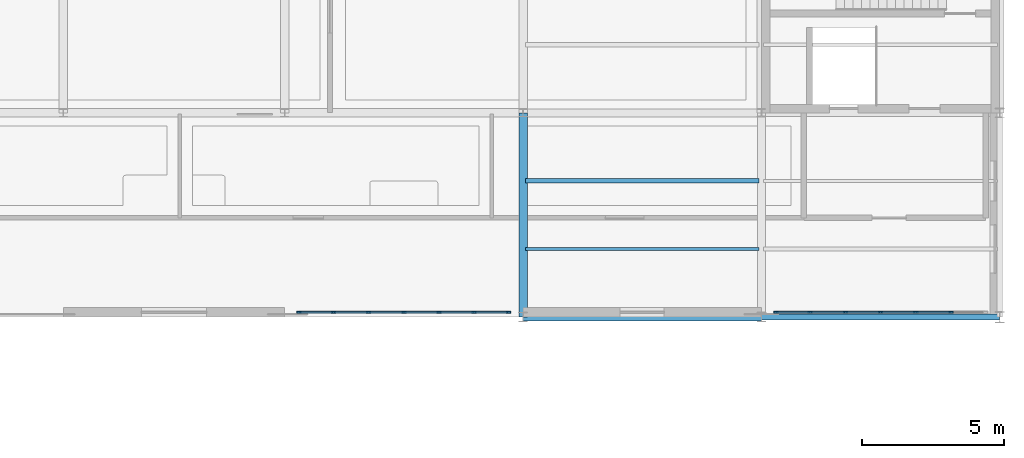
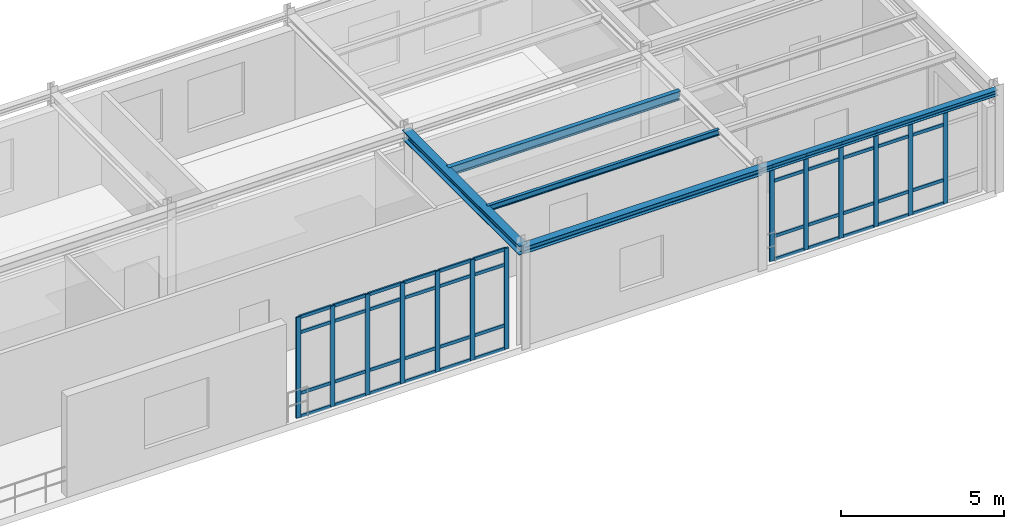
# One storey, part 6 of 20: 56 members, 5 beams, 2 elements without a shape of their own.
"""IFC4 building model written with IfcOpenShell, lengths in metres."""

from ifc_helpers import new_model, si_unit, derived_unit, direction, frame, origin, origin_2d, place, context, subcontext, project, spatial, rectangle, i_section, extrude, material, layer, layer_set, material_profile, profile_set, type_object, element, aggregate, save


model = new_model("IFC4")

# Units and contexts
model_context = context("Model", 3, precision=1e-05, world=origin(), true_north=direction((0.0, 1.0)))
body_context = subcontext(model_context, "Body", "Model", "MODEL_VIEW")
ifc_project = project(units=[si_unit("LENGTHUNIT", "METRE"), si_unit("AREAUNIT", "SQUARE_METRE"), si_unit("VOLUMEUNIT", "CUBIC_METRE"), si_unit("PLANEANGLEUNIT", "RADIAN"), si_unit("MASSUNIT", "GRAM", prefix="KILO"), derived_unit("THERMALTRANSMITTANCEUNIT", [(si_unit("POWERUNIT", "WATT"), 1), (si_unit("AREAUNIT", "SQUARE_METRE"), -1), (si_unit("THERMODYNAMICTEMPERATUREUNIT", "KELVIN"), -1)])], contexts=[model_context])

# Site, building, storey
site_placement = place(None, origin())
site = spatial("IfcSite", under=ifc_project, at=site_placement, CompositionType="ELEMENT")
building_placement = place(site_placement, origin())
building = spatial("IfcBuilding", under=site, at=building_placement, Name="Yasenodar Specialist Clinic", CompositionType="ELEMENT")
storey_placement = place(building_placement, frame((0.0, 0.0, 25.35009765625)))
storey = spatial("IfcBuildingStorey", under=building, at=storey_placement, Name="L06", CompositionType="ELEMENT", Elevation=25.35009765625)

# Beams
ifc_material_1 = material(Name="Steel S355", Category="steel")
ifc_material_profile_1 = material_profile(ifc_material_1, i_section(OverallWidth=0.219970703125, OverallDepth=0.2099609375, WebThickness=0.007080078125, FlangeThickness=0.010986328125, FilletRadius=0.01806640625, at=origin_2d()), Name="HEA 220")
ifc_profile_set_1 = profile_set([ifc_material_profile_1], Name="Steel S355")
beam_type_1 = type_object("IfcBeamType", Name="BM-HEA220", PredefinedType="BEAM", material=ifc_profile_set_1)
beam_1_placement = place(storey_placement, frame((113.39990234375, 97.199951171875, 3.704833984375), z_axis=(1.0, 0.0, 0.0), x_axis=(0.0, 1.0, 0.0)))
element("IfcBeam", 1, at=beam_1_placement, inside=storey, type_object=beam_type_1, Name="L06 Primary E-W Girder", PredefinedType="BEAM", context=body_context, shape_type="SweptSolid", body=[
    extrude(i_section(OverallWidth=0.219970703125, OverallDepth=0.2099609375, WebThickness=0.007080078125, FlangeThickness=0.010986328125, FilletRadius=0.01806640625, at=origin_2d()), origin(), (0.0, 0.0, 1.0), 8.400146484375),
])
ifc_material_profile_2 = material_profile(ifc_material_1, i_section(OverallWidth=0.260009765625, OverallDepth=0.25, WebThickness=0.007568359375, FlangeThickness=0.012451171875, FilletRadius=0.02392578125, at=origin_2d()), Name="HEA 260")
ifc_profile_set_2 = profile_set([ifc_material_profile_2], Name="Steel S355")
beam_type_2 = type_object("IfcBeamType", Name="BM-HEA260", PredefinedType="BEAM", material=ifc_profile_set_2)
beam_2_placement = place(storey_placement, frame((105.0, 97.199951171875, 3.684814453125), z_axis=(1.0, 0.0, 0.0), x_axis=(0.0, 1.0, 0.0)))
element("IfcBeam", 2, at=beam_2_placement, inside=storey, type_object=beam_type_2, Name="L06 Primary E-W Girder", PredefinedType="BEAM", context=body_context, shape_type="SweptSolid", body=[
    extrude(i_section(OverallWidth=0.260009765625, OverallDepth=0.25, WebThickness=0.007568359375, FlangeThickness=0.012451171875, FilletRadius=0.02392578125, at=origin_2d()), origin(), (0.0, 0.0, 1.0), 8.39990234375),
])
ifc_material_profile_3 = material_profile(ifc_material_1, i_section(OverallWidth=0.300048828125, OverallDepth=0.340087890625, WebThickness=0.011962890625, FlangeThickness=0.021484375, FilletRadius=0.027099609375, at=origin_2d()), Name="HEB 340")
ifc_profile_set_3 = profile_set([ifc_material_profile_3], Name="Steel S355")
beam_type_3 = type_object("IfcBeamType", Name="BM-HEB340", PredefinedType="BEAM", material=ifc_profile_set_3)
beam_3_placement = place(storey_placement, frame((105.0, 97.199951171875, 3.639892578125), z_axis=(0.0, 1.0, 0.0), x_axis=(-1.0, 0.0, 0.0)))
element("IfcBeam", 3, at=beam_3_placement, inside=storey, type_object=beam_type_3, Name="L06 Primary N-S Girder", PredefinedType="BEAM", context=body_context, shape_type="SweptSolid", body=[
    extrude(i_section(OverallWidth=0.300048828125, OverallDepth=0.340087890625, WebThickness=0.011962890625, FlangeThickness=0.021484375, FilletRadius=0.027099609375, at=origin_2d()), origin(), (0.0, 0.0, 1.0), 7.199951171875),
])

# Curtain wall, members
ifc_material_2 = material(Name="Bronze Anodized Aluminium and Triple Low-E Glass", Category="aluminium")
ifc_layer = layer(ifc_material_2, 0.215087890625)
ifc_layer_set = layer_set([ifc_layer], Name="Bronze Anodized Aluminium and Triple Low-E Glass")
curtain_wall_type = type_object("IfcCurtainWallType", Name="CW-SYS-05", PredefinedType="USERDEFINED", material=ifc_layer_set)
curtain_wall_1_placement = place(storey_placement, origin())
curtain_wall_1 = element("IfcCurtainWall", 4, at=curtain_wall_1_placement, inside=storey, type_object=curtain_wall_type, Name="L06 Unitised Curtain Wall 168", ObjectType="UNITISED CURTAIN WALL", PredefinedType="USERDEFINED")
ifc_material_3 = material(Name="Bronze Anodized Aluminium", Category="aluminium")
ifc_material_profile_4 = material_profile(ifc_material_3, rectangle(XDim=0.06005859375, YDim=0.159912109375, at=origin_2d()), Name="CW-MULL 60x160")
ifc_profile_set_4 = profile_set([ifc_material_profile_4], Name="Bronze Anodized Aluminium")
member_type_1 = type_object("IfcMemberType", Name="CW-MULL-160", PredefinedType="MULLION", material=ifc_profile_set_4)
member_1_placement = place(storey_placement, frame((120.080078125, 97.3701171875, 0.0), z_axis=(0.0, 0.0, 1.0), x_axis=(0.0, -1.0, 0.0)))
member_1 = element("IfcMember", 5, at=member_1_placement, type_object=member_type_1, Name="CW-05 mullion 2", PredefinedType="MULLION", context=body_context, shape_type="SweptSolid", body=[
    extrude(rectangle(XDim=0.06005859375, YDim=0.159912109375, at=origin_2d()), origin(), (0.0, 0.0, 1.0), 3.577880859375),
])
member_2_placement = place(storey_placement, frame((118.840087890625, 97.3701171875, 0.0), z_axis=(0.0, 0.0, 1.0), x_axis=(0.0, -1.0, 0.0)))
member_2 = element("IfcMember", 6, at=member_2_placement, type_object=member_type_1, Name="CW-05 mullion 3", PredefinedType="MULLION", context=body_context, shape_type="SweptSolid", body=[
    extrude(rectangle(XDim=0.06005859375, YDim=0.159912109375, at=origin_2d()), origin(), (0.0, 0.0, 1.0), 3.577880859375),
])
member_3_placement = place(storey_placement, frame((117.60009765625, 97.3701171875, 0.0), z_axis=(0.0, 0.0, 1.0), x_axis=(0.0, -1.0, 0.0)))
member_3 = element("IfcMember", 7, at=member_3_placement, type_object=member_type_1, Name="CW-05 mullion 4", PredefinedType="MULLION", context=body_context, shape_type="SweptSolid", body=[
    extrude(rectangle(XDim=0.06005859375, YDim=0.159912109375, at=origin_2d()), origin(), (0.0, 0.0, 1.0), 3.577880859375),
])
member_4_placement = place(storey_placement, frame((116.360107421875, 97.3701171875, 0.0), z_axis=(0.0, 0.0, 1.0), x_axis=(0.0, -1.0, 0.0)))
member_4 = element("IfcMember", 8, at=member_4_placement, type_object=member_type_1, Name="CW-05 mullion 5", PredefinedType="MULLION", context=body_context, shape_type="SweptSolid", body=[
    extrude(rectangle(XDim=0.06005859375, YDim=0.159912109375, at=origin_2d()), origin(), (0.0, 0.0, 1.0), 3.577880859375),
])
member_5_placement = place(storey_placement, frame((115.1201171875, 97.3701171875, 0.0), z_axis=(0.0, 0.0, 1.0), x_axis=(0.0, -1.0, 0.0)))
member_5 = element("IfcMember", 9, at=member_5_placement, type_object=member_type_1, Name="CW-05 mullion 6", PredefinedType="MULLION", context=body_context, shape_type="SweptSolid", body=[
    extrude(rectangle(XDim=0.06005859375, YDim=0.159912109375, at=origin_2d()), origin(), (0.0, 0.0, 1.0), 3.577880859375),
])
member_6_placement = place(storey_placement, frame((113.909912109375, 97.3701171875, 0.0), z_axis=(0.0, 0.0, 1.0), x_axis=(0.0, -1.0, 0.0)))
member_6 = element("IfcMember", 10, at=member_6_placement, type_object=member_type_1, Name="CW-05 mullion 7", PredefinedType="MULLION", context=body_context, shape_type="SweptSolid", body=[
    extrude(rectangle(XDim=0.06005859375, YDim=0.159912109375, at=origin_2d()), origin(), (0.0, 0.0, 1.0), 3.577880859375),
])

curtain_wall_2_placement = place(storey_placement, origin())
curtain_wall_2 = element("IfcCurtainWall", 11, at=curtain_wall_2_placement, inside=storey, type_object=curtain_wall_type, Name="L06 Unitised Curtain Wall 169", ObjectType="UNITISED CURTAIN WALL", PredefinedType="USERDEFINED")
member_7_placement = place(storey_placement, frame((104.489990234375, 97.3701171875, 0.0), z_axis=(0.0, 0.0, 1.0), x_axis=(0.0, -1.0, 0.0)))
member_7 = element("IfcMember", 12, at=member_7_placement, type_object=member_type_1, Name="CW-05 mullion 1", PredefinedType="MULLION", context=body_context, shape_type="SweptSolid", body=[
    extrude(rectangle(XDim=0.06005859375, YDim=0.159912109375, at=origin_2d()), origin(), (0.0, 0.0, 1.0), 3.77978515625),
])
member_8_placement = place(storey_placement, frame((103.280029296875, 97.3701171875, 0.0), z_axis=(0.0, 0.0, 1.0), x_axis=(0.0, -1.0, 0.0)))
member_8 = element("IfcMember", 13, at=member_8_placement, type_object=member_type_1, Name="CW-05 mullion 2", PredefinedType="MULLION", context=body_context, shape_type="SweptSolid", body=[
    extrude(rectangle(XDim=0.06005859375, YDim=0.159912109375, at=origin_2d()), origin(), (0.0, 0.0, 1.0), 3.77978515625),
])
member_9_placement = place(storey_placement, frame((102.0400390625, 97.3701171875, 0.0), z_axis=(0.0, 0.0, 1.0), x_axis=(0.0, -1.0, 0.0)))
member_9 = element("IfcMember", 14, at=member_9_placement, type_object=member_type_1, Name="CW-05 mullion 3", PredefinedType="MULLION", context=body_context, shape_type="SweptSolid", body=[
    extrude(rectangle(XDim=0.06005859375, YDim=0.159912109375, at=origin_2d()), origin(), (0.0, 0.0, 1.0), 3.77978515625),
])
member_10_placement = place(storey_placement, frame((100.800048828125, 97.3701171875, 0.0), z_axis=(0.0, 0.0, 1.0), x_axis=(0.0, -1.0, 0.0)))
member_10 = element("IfcMember", 15, at=member_10_placement, type_object=member_type_1, Name="CW-05 mullion 4", PredefinedType="MULLION", context=body_context, shape_type="SweptSolid", body=[
    extrude(rectangle(XDim=0.06005859375, YDim=0.159912109375, at=origin_2d()), origin(), (0.0, 0.0, 1.0), 3.77978515625),
])
member_11_placement = place(storey_placement, frame((99.56005859375, 97.3701171875, 0.0), z_axis=(0.0, 0.0, 1.0), x_axis=(0.0, -1.0, 0.0)))
member_11 = element("IfcMember", 16, at=member_11_placement, type_object=member_type_1, Name="CW-05 mullion 5", PredefinedType="MULLION", context=body_context, shape_type="SweptSolid", body=[
    extrude(rectangle(XDim=0.06005859375, YDim=0.159912109375, at=origin_2d()), origin(), (0.0, 0.0, 1.0), 3.77978515625),
])
member_12_placement = place(storey_placement, frame((98.320068359375, 97.3701171875, 0.0), z_axis=(0.0, 0.0, 1.0), x_axis=(0.0, -1.0, 0.0)))
member_12 = element("IfcMember", 17, at=member_12_placement, type_object=member_type_1, Name="CW-05 mullion 6", PredefinedType="MULLION", context=body_context, shape_type="SweptSolid", body=[
    extrude(rectangle(XDim=0.06005859375, YDim=0.159912109375, at=origin_2d()), origin(), (0.0, 0.0, 1.0), 3.77978515625),
])
member_13_placement = place(storey_placement, frame((97.110107421875, 97.3701171875, 0.0), z_axis=(0.0, 0.0, 1.0), x_axis=(0.0, -1.0, 0.0)))
member_13 = element("IfcMember", 18, at=member_13_placement, type_object=member_type_1, Name="CW-05 mullion 7", PredefinedType="MULLION", context=body_context, shape_type="SweptSolid", body=[
    extrude(rectangle(XDim=0.06005859375, YDim=0.159912109375, at=origin_2d()), origin(), (0.0, 0.0, 1.0), 3.77978515625),
])

# Member
ifc_material_profile_5 = material_profile(ifc_material_3, rectangle(XDim=0.06005859375, YDim=0.1201171875, at=origin_2d()), Name="CW-TRAN 60x120")
ifc_profile_set_5 = profile_set([ifc_material_profile_5], Name="Bronze Anodized Aluminium")
member_type_2 = type_object("IfcMemberType", Name="CW-TRAN-120", PredefinedType="USERDEFINED", material=ifc_profile_set_5)
member_14_placement = place(storey_placement, frame((120.050048828125, 97.3701171875, 0.02978515625), z_axis=(-1.0, 0.0, 0.0), x_axis=(0.0, -1.0, 0.0)))
member_14 = element("IfcMember", 19, at=member_14_placement, type_object=member_type_2, Name="CW-05 transom 2.1", ObjectType="TRANSOM", PredefinedType="USERDEFINED", context=body_context, shape_type="SweptSolid", body=[
    extrude(rectangle(XDim=0.06005859375, YDim=0.1201171875, at=origin_2d()), origin(), (0.0, 0.0, 1.0), 1.179931640625),
])

member_15_placement = place(storey_placement, frame((120.050048828125, 97.3701171875, 0.89990234375), z_axis=(-1.0, 0.0, 0.0), x_axis=(0.0, -1.0, 0.0)))
member_15 = element("IfcMember", 20, at=member_15_placement, type_object=member_type_2, Name="CW-05 transom 2.2", ObjectType="TRANSOM", PredefinedType="USERDEFINED", context=body_context, shape_type="SweptSolid", body=[
    extrude(rectangle(XDim=0.06005859375, YDim=0.1201171875, at=origin_2d()), origin(), (0.0, 0.0, 1.0), 1.179931640625),
])

member_16_placement = place(storey_placement, frame((120.050048828125, 97.3701171875, 2.977783203125), z_axis=(-1.0, 0.0, 0.0), x_axis=(0.0, -1.0, 0.0)))
member_16 = element("IfcMember", 21, at=member_16_placement, type_object=member_type_2, Name="CW-05 transom 2.3", ObjectType="TRANSOM", PredefinedType="USERDEFINED", context=body_context, shape_type="SweptSolid", body=[
    extrude(rectangle(XDim=0.06005859375, YDim=0.1201171875, at=origin_2d()), origin(), (0.0, 0.0, 1.0), 1.179931640625),
])

member_17_placement = place(storey_placement, frame((118.81005859375, 97.3701171875, 0.02978515625), z_axis=(-1.0, 0.0, 0.0), x_axis=(0.0, -1.0, 0.0)))
member_17 = element("IfcMember", 22, at=member_17_placement, type_object=member_type_2, Name="CW-05 transom 3.1", ObjectType="TRANSOM", PredefinedType="USERDEFINED", context=body_context, shape_type="SweptSolid", body=[
    extrude(rectangle(XDim=0.06005859375, YDim=0.1201171875, at=origin_2d()), origin(), (0.0, 0.0, 1.0), 1.18017578125),
])

member_18_placement = place(storey_placement, frame((118.81005859375, 97.3701171875, 0.89990234375), z_axis=(-1.0, 0.0, 0.0), x_axis=(0.0, -1.0, 0.0)))
member_18 = element("IfcMember", 23, at=member_18_placement, type_object=member_type_2, Name="CW-05 transom 3.2", ObjectType="TRANSOM", PredefinedType="USERDEFINED", context=body_context, shape_type="SweptSolid", body=[
    extrude(rectangle(XDim=0.06005859375, YDim=0.1201171875, at=origin_2d()), origin(), (0.0, 0.0, 1.0), 1.18017578125),
])

member_19_placement = place(storey_placement, frame((118.81005859375, 97.3701171875, 2.977783203125), z_axis=(-1.0, 0.0, 0.0), x_axis=(0.0, -1.0, 0.0)))
member_19 = element("IfcMember", 24, at=member_19_placement, type_object=member_type_2, Name="CW-05 transom 3.3", ObjectType="TRANSOM", PredefinedType="USERDEFINED", context=body_context, shape_type="SweptSolid", body=[
    extrude(rectangle(XDim=0.06005859375, YDim=0.1201171875, at=origin_2d()), origin(), (0.0, 0.0, 1.0), 1.18017578125),
])

member_20_placement = place(storey_placement, frame((118.81005859375, 97.3701171875, 3.5478515625), z_axis=(-1.0, 0.0, 0.0), x_axis=(0.0, -1.0, 0.0)))
member_20 = element("IfcMember", 25, at=member_20_placement, type_object=member_type_2, Name="CW-05 transom 3.4", ObjectType="TRANSOM", PredefinedType="USERDEFINED", context=body_context, shape_type="SweptSolid", body=[
    extrude(rectangle(XDim=0.06005859375, YDim=0.1201171875, at=origin_2d()), origin(), (0.0, 0.0, 1.0), 1.18017578125),
])

member_21_placement = place(storey_placement, frame((117.570068359375, 97.3701171875, 0.02978515625), z_axis=(-1.0, 0.0, 0.0), x_axis=(0.0, -1.0, 0.0)))
member_21 = element("IfcMember", 26, at=member_21_placement, type_object=member_type_2, Name="CW-05 transom 4.1", ObjectType="TRANSOM", PredefinedType="USERDEFINED", context=body_context, shape_type="SweptSolid", body=[
    extrude(rectangle(XDim=0.06005859375, YDim=0.1201171875, at=origin_2d()), origin(), (0.0, 0.0, 1.0), 1.18017578125),
])

member_22_placement = place(storey_placement, frame((117.570068359375, 97.3701171875, 0.89990234375), z_axis=(-1.0, 0.0, 0.0), x_axis=(0.0, -1.0, 0.0)))
member_22 = element("IfcMember", 27, at=member_22_placement, type_object=member_type_2, Name="CW-05 transom 4.2", ObjectType="TRANSOM", PredefinedType="USERDEFINED", context=body_context, shape_type="SweptSolid", body=[
    extrude(rectangle(XDim=0.06005859375, YDim=0.1201171875, at=origin_2d()), origin(), (0.0, 0.0, 1.0), 1.18017578125),
])

member_23_placement = place(storey_placement, frame((117.570068359375, 97.3701171875, 2.977783203125), z_axis=(-1.0, 0.0, 0.0), x_axis=(0.0, -1.0, 0.0)))
member_23 = element("IfcMember", 28, at=member_23_placement, type_object=member_type_2, Name="CW-05 transom 4.3", ObjectType="TRANSOM", PredefinedType="USERDEFINED", context=body_context, shape_type="SweptSolid", body=[
    extrude(rectangle(XDim=0.06005859375, YDim=0.1201171875, at=origin_2d()), origin(), (0.0, 0.0, 1.0), 1.18017578125),
])

member_24_placement = place(storey_placement, frame((117.570068359375, 97.3701171875, 3.5478515625), z_axis=(-1.0, 0.0, 0.0), x_axis=(0.0, -1.0, 0.0)))
member_24 = element("IfcMember", 29, at=member_24_placement, type_object=member_type_2, Name="CW-05 transom 4.4", ObjectType="TRANSOM", PredefinedType="USERDEFINED", context=body_context, shape_type="SweptSolid", body=[
    extrude(rectangle(XDim=0.06005859375, YDim=0.1201171875, at=origin_2d()), origin(), (0.0, 0.0, 1.0), 1.18017578125),
])

member_25_placement = place(storey_placement, frame((116.330078125, 97.3701171875, 0.02978515625), z_axis=(-1.0, 0.0, 0.0), x_axis=(0.0, -1.0, 0.0)))
member_25 = element("IfcMember", 30, at=member_25_placement, type_object=member_type_2, Name="CW-05 transom 5.1", ObjectType="TRANSOM", PredefinedType="USERDEFINED", context=body_context, shape_type="SweptSolid", body=[
    extrude(rectangle(XDim=0.06005859375, YDim=0.1201171875, at=origin_2d()), origin(), (0.0, 0.0, 1.0), 1.18017578125),
])

member_26_placement = place(storey_placement, frame((116.330078125, 97.3701171875, 0.89990234375), z_axis=(-1.0, 0.0, 0.0), x_axis=(0.0, -1.0, 0.0)))
member_26 = element("IfcMember", 31, at=member_26_placement, type_object=member_type_2, Name="CW-05 transom 5.2", ObjectType="TRANSOM", PredefinedType="USERDEFINED", context=body_context, shape_type="SweptSolid", body=[
    extrude(rectangle(XDim=0.06005859375, YDim=0.1201171875, at=origin_2d()), origin(), (0.0, 0.0, 1.0), 1.18017578125),
])

member_27_placement = place(storey_placement, frame((116.330078125, 97.3701171875, 2.977783203125), z_axis=(-1.0, 0.0, 0.0), x_axis=(0.0, -1.0, 0.0)))
member_27 = element("IfcMember", 32, at=member_27_placement, type_object=member_type_2, Name="CW-05 transom 5.3", ObjectType="TRANSOM", PredefinedType="USERDEFINED", context=body_context, shape_type="SweptSolid", body=[
    extrude(rectangle(XDim=0.06005859375, YDim=0.1201171875, at=origin_2d()), origin(), (0.0, 0.0, 1.0), 1.18017578125),
])

member_28_placement = place(storey_placement, frame((116.330078125, 97.3701171875, 3.5478515625), z_axis=(-1.0, 0.0, 0.0), x_axis=(0.0, -1.0, 0.0)))
member_28 = element("IfcMember", 33, at=member_28_placement, type_object=member_type_2, Name="CW-05 transom 5.4", ObjectType="TRANSOM", PredefinedType="USERDEFINED", context=body_context, shape_type="SweptSolid", body=[
    extrude(rectangle(XDim=0.06005859375, YDim=0.1201171875, at=origin_2d()), origin(), (0.0, 0.0, 1.0), 1.18017578125),
])

member_29_placement = place(storey_placement, frame((115.090087890625, 97.3701171875, 0.02978515625), z_axis=(-1.0, 0.0, 0.0), x_axis=(0.0, -1.0, 0.0)))
member_29 = element("IfcMember", 34, at=member_29_placement, type_object=member_type_2, Name="CW-05 transom 6.1", ObjectType="TRANSOM", PredefinedType="USERDEFINED", context=body_context, shape_type="SweptSolid", body=[
    extrude(rectangle(XDim=0.06005859375, YDim=0.1201171875, at=origin_2d()), origin(), (0.0, 0.0, 1.0), 1.150146484375),
])

member_30_placement = place(storey_placement, frame((115.090087890625, 97.3701171875, 0.89990234375), z_axis=(-1.0, 0.0, 0.0), x_axis=(0.0, -1.0, 0.0)))
member_30 = element("IfcMember", 35, at=member_30_placement, type_object=member_type_2, Name="CW-05 transom 6.2", ObjectType="TRANSOM", PredefinedType="USERDEFINED", context=body_context, shape_type="SweptSolid", body=[
    extrude(rectangle(XDim=0.06005859375, YDim=0.1201171875, at=origin_2d()), origin(), (0.0, 0.0, 1.0), 1.150146484375),
])

member_31_placement = place(storey_placement, frame((115.090087890625, 97.3701171875, 2.977783203125), z_axis=(-1.0, 0.0, 0.0), x_axis=(0.0, -1.0, 0.0)))
member_31 = element("IfcMember", 36, at=member_31_placement, type_object=member_type_2, Name="CW-05 transom 6.3", ObjectType="TRANSOM", PredefinedType="USERDEFINED", context=body_context, shape_type="SweptSolid", body=[
    extrude(rectangle(XDim=0.06005859375, YDim=0.1201171875, at=origin_2d()), origin(), (0.0, 0.0, 1.0), 1.150146484375),
])

member_32_placement = place(storey_placement, frame((115.090087890625, 97.3701171875, 3.5478515625), z_axis=(-1.0, 0.0, 0.0), x_axis=(0.0, -1.0, 0.0)))
member_32 = element("IfcMember", 37, at=member_32_placement, type_object=member_type_2, Name="CW-05 transom 6.4", ObjectType="TRANSOM", PredefinedType="USERDEFINED", context=body_context, shape_type="SweptSolid", body=[
    extrude(rectangle(XDim=0.06005859375, YDim=0.1201171875, at=origin_2d()), origin(), (0.0, 0.0, 1.0), 1.150146484375),
])

aggregate(curtain_wall_1, [member_1, member_2, member_3, member_4, member_5, member_6, member_14, member_15, member_16, member_17, member_18, member_19, member_20, member_21, member_22, member_23, member_24, member_25, member_26, member_27, member_28, member_29, member_30, member_31, member_32])

member_33_placement = place(storey_placement, frame((104.4599609375, 97.3701171875, 0.02978515625), z_axis=(-1.0, 0.0, 0.0), x_axis=(0.0, -1.0, 0.0)))
member_33 = element("IfcMember", 38, at=member_33_placement, type_object=member_type_2, Name="CW-05 transom 1.1", ObjectType="TRANSOM", PredefinedType="USERDEFINED", context=body_context, shape_type="SweptSolid", body=[
    extrude(rectangle(XDim=0.06005859375, YDim=0.1201171875, at=origin_2d()), origin(), (0.0, 0.0, 1.0), 1.14990234375),
])

member_34_placement = place(storey_placement, frame((104.4599609375, 97.3701171875, 0.89990234375), z_axis=(-1.0, 0.0, 0.0), x_axis=(0.0, -1.0, 0.0)))
member_34 = element("IfcMember", 39, at=member_34_placement, type_object=member_type_2, Name="CW-05 transom 1.2", ObjectType="TRANSOM", PredefinedType="USERDEFINED", context=body_context, shape_type="SweptSolid", body=[
    extrude(rectangle(XDim=0.06005859375, YDim=0.1201171875, at=origin_2d()), origin(), (0.0, 0.0, 1.0), 1.14990234375),
])

member_35_placement = place(storey_placement, frame((104.4599609375, 97.3701171875, 3.179931640625), z_axis=(-1.0, 0.0, 0.0), x_axis=(0.0, -1.0, 0.0)))
member_35 = element("IfcMember", 40, at=member_35_placement, type_object=member_type_2, Name="CW-05 transom 1.3", ObjectType="TRANSOM", PredefinedType="USERDEFINED", context=body_context, shape_type="SweptSolid", body=[
    extrude(rectangle(XDim=0.06005859375, YDim=0.1201171875, at=origin_2d()), origin(), (0.0, 0.0, 1.0), 1.14990234375),
])

member_36_placement = place(storey_placement, frame((104.4599609375, 97.3701171875, 3.75), z_axis=(-1.0, 0.0, 0.0), x_axis=(0.0, -1.0, 0.0)))
member_36 = element("IfcMember", 41, at=member_36_placement, type_object=member_type_2, Name="CW-05 transom 1.4", ObjectType="TRANSOM", PredefinedType="USERDEFINED", context=body_context, shape_type="SweptSolid", body=[
    extrude(rectangle(XDim=0.06005859375, YDim=0.1201171875, at=origin_2d()), origin(), (0.0, 0.0, 1.0), 1.14990234375),
])

member_37_placement = place(storey_placement, frame((103.25, 97.3701171875, 0.02978515625), z_axis=(-1.0, 0.0, 0.0), x_axis=(0.0, -1.0, 0.0)))
member_37 = element("IfcMember", 42, at=member_37_placement, type_object=member_type_2, Name="CW-05 transom 2.1", ObjectType="TRANSOM", PredefinedType="USERDEFINED", context=body_context, shape_type="SweptSolid", body=[
    extrude(rectangle(XDim=0.06005859375, YDim=0.1201171875, at=origin_2d()), origin(), (0.0, 0.0, 1.0), 1.179931640625),
])

member_38_placement = place(storey_placement, frame((103.25, 97.3701171875, 0.89990234375), z_axis=(-1.0, 0.0, 0.0), x_axis=(0.0, -1.0, 0.0)))
member_38 = element("IfcMember", 43, at=member_38_placement, type_object=member_type_2, Name="CW-05 transom 2.2", ObjectType="TRANSOM", PredefinedType="USERDEFINED", context=body_context, shape_type="SweptSolid", body=[
    extrude(rectangle(XDim=0.06005859375, YDim=0.1201171875, at=origin_2d()), origin(), (0.0, 0.0, 1.0), 1.179931640625),
])

member_39_placement = place(storey_placement, frame((103.25, 97.3701171875, 3.179931640625), z_axis=(-1.0, 0.0, 0.0), x_axis=(0.0, -1.0, 0.0)))
member_39 = element("IfcMember", 44, at=member_39_placement, type_object=member_type_2, Name="CW-05 transom 2.3", ObjectType="TRANSOM", PredefinedType="USERDEFINED", context=body_context, shape_type="SweptSolid", body=[
    extrude(rectangle(XDim=0.06005859375, YDim=0.1201171875, at=origin_2d()), origin(), (0.0, 0.0, 1.0), 1.179931640625),
])

member_40_placement = place(storey_placement, frame((103.25, 97.3701171875, 3.75), z_axis=(-1.0, 0.0, 0.0), x_axis=(0.0, -1.0, 0.0)))
member_40 = element("IfcMember", 45, at=member_40_placement, type_object=member_type_2, Name="CW-05 transom 2.4", ObjectType="TRANSOM", PredefinedType="USERDEFINED", context=body_context, shape_type="SweptSolid", body=[
    extrude(rectangle(XDim=0.06005859375, YDim=0.1201171875, at=origin_2d()), origin(), (0.0, 0.0, 1.0), 1.179931640625),
])

member_41_placement = place(storey_placement, frame((102.010009765625, 97.3701171875, 0.02978515625), z_axis=(-1.0, 0.0, 0.0), x_axis=(0.0, -1.0, 0.0)))
member_41 = element("IfcMember", 46, at=member_41_placement, type_object=member_type_2, Name="CW-05 transom 3.1", ObjectType="TRANSOM", PredefinedType="USERDEFINED", context=body_context, shape_type="SweptSolid", body=[
    extrude(rectangle(XDim=0.06005859375, YDim=0.1201171875, at=origin_2d()), origin(), (0.0, 0.0, 1.0), 1.179931640625),
])

member_42_placement = place(storey_placement, frame((102.010009765625, 97.3701171875, 0.89990234375), z_axis=(-1.0, 0.0, 0.0), x_axis=(0.0, -1.0, 0.0)))
member_42 = element("IfcMember", 47, at=member_42_placement, type_object=member_type_2, Name="CW-05 transom 3.2", ObjectType="TRANSOM", PredefinedType="USERDEFINED", context=body_context, shape_type="SweptSolid", body=[
    extrude(rectangle(XDim=0.06005859375, YDim=0.1201171875, at=origin_2d()), origin(), (0.0, 0.0, 1.0), 1.179931640625),
])

member_43_placement = place(storey_placement, frame((102.010009765625, 97.3701171875, 3.179931640625), z_axis=(-1.0, 0.0, 0.0), x_axis=(0.0, -1.0, 0.0)))
member_43 = element("IfcMember", 48, at=member_43_placement, type_object=member_type_2, Name="CW-05 transom 3.3", ObjectType="TRANSOM", PredefinedType="USERDEFINED", context=body_context, shape_type="SweptSolid", body=[
    extrude(rectangle(XDim=0.06005859375, YDim=0.1201171875, at=origin_2d()), origin(), (0.0, 0.0, 1.0), 1.179931640625),
])

member_44_placement = place(storey_placement, frame((102.010009765625, 97.3701171875, 3.75), z_axis=(-1.0, 0.0, 0.0), x_axis=(0.0, -1.0, 0.0)))
member_44 = element("IfcMember", 49, at=member_44_placement, type_object=member_type_2, Name="CW-05 transom 3.4", ObjectType="TRANSOM", PredefinedType="USERDEFINED", context=body_context, shape_type="SweptSolid", body=[
    extrude(rectangle(XDim=0.06005859375, YDim=0.1201171875, at=origin_2d()), origin(), (0.0, 0.0, 1.0), 1.179931640625),
])

member_45_placement = place(storey_placement, frame((100.77001953125, 97.3701171875, 0.02978515625), z_axis=(-1.0, 0.0, 0.0), x_axis=(0.0, -1.0, 0.0)))
member_45 = element("IfcMember", 50, at=member_45_placement, type_object=member_type_2, Name="CW-05 transom 4.1", ObjectType="TRANSOM", PredefinedType="USERDEFINED", context=body_context, shape_type="SweptSolid", body=[
    extrude(rectangle(XDim=0.06005859375, YDim=0.1201171875, at=origin_2d()), origin(), (0.0, 0.0, 1.0), 1.179931640625),
])

member_46_placement = place(storey_placement, frame((100.77001953125, 97.3701171875, 0.89990234375), z_axis=(-1.0, 0.0, 0.0), x_axis=(0.0, -1.0, 0.0)))
member_46 = element("IfcMember", 51, at=member_46_placement, type_object=member_type_2, Name="CW-05 transom 4.2", ObjectType="TRANSOM", PredefinedType="USERDEFINED", context=body_context, shape_type="SweptSolid", body=[
    extrude(rectangle(XDim=0.06005859375, YDim=0.1201171875, at=origin_2d()), origin(), (0.0, 0.0, 1.0), 1.179931640625),
])

member_47_placement = place(storey_placement, frame((100.77001953125, 97.3701171875, 3.179931640625), z_axis=(-1.0, 0.0, 0.0), x_axis=(0.0, -1.0, 0.0)))
member_47 = element("IfcMember", 52, at=member_47_placement, type_object=member_type_2, Name="CW-05 transom 4.3", ObjectType="TRANSOM", PredefinedType="USERDEFINED", context=body_context, shape_type="SweptSolid", body=[
    extrude(rectangle(XDim=0.06005859375, YDim=0.1201171875, at=origin_2d()), origin(), (0.0, 0.0, 1.0), 1.179931640625),
])

member_48_placement = place(storey_placement, frame((100.77001953125, 97.3701171875, 3.75), z_axis=(-1.0, 0.0, 0.0), x_axis=(0.0, -1.0, 0.0)))
member_48 = element("IfcMember", 53, at=member_48_placement, type_object=member_type_2, Name="CW-05 transom 4.4", ObjectType="TRANSOM", PredefinedType="USERDEFINED", context=body_context, shape_type="SweptSolid", body=[
    extrude(rectangle(XDim=0.06005859375, YDim=0.1201171875, at=origin_2d()), origin(), (0.0, 0.0, 1.0), 1.179931640625),
])

member_49_placement = place(storey_placement, frame((99.530029296875, 97.3701171875, 0.02978515625), z_axis=(-1.0, 0.0, 0.0), x_axis=(0.0, -1.0, 0.0)))
member_49 = element("IfcMember", 54, at=member_49_placement, type_object=member_type_2, Name="CW-05 transom 5.1", ObjectType="TRANSOM", PredefinedType="USERDEFINED", context=body_context, shape_type="SweptSolid", body=[
    extrude(rectangle(XDim=0.06005859375, YDim=0.1201171875, at=origin_2d()), origin(), (0.0, 0.0, 1.0), 1.179931640625),
])

member_50_placement = place(storey_placement, frame((99.530029296875, 97.3701171875, 0.89990234375), z_axis=(-1.0, 0.0, 0.0), x_axis=(0.0, -1.0, 0.0)))
member_50 = element("IfcMember", 55, at=member_50_placement, type_object=member_type_2, Name="CW-05 transom 5.2", ObjectType="TRANSOM", PredefinedType="USERDEFINED", context=body_context, shape_type="SweptSolid", body=[
    extrude(rectangle(XDim=0.06005859375, YDim=0.1201171875, at=origin_2d()), origin(), (0.0, 0.0, 1.0), 1.179931640625),
])

member_51_placement = place(storey_placement, frame((99.530029296875, 97.3701171875, 3.179931640625), z_axis=(-1.0, 0.0, 0.0), x_axis=(0.0, -1.0, 0.0)))
member_51 = element("IfcMember", 56, at=member_51_placement, type_object=member_type_2, Name="CW-05 transom 5.3", ObjectType="TRANSOM", PredefinedType="USERDEFINED", context=body_context, shape_type="SweptSolid", body=[
    extrude(rectangle(XDim=0.06005859375, YDim=0.1201171875, at=origin_2d()), origin(), (0.0, 0.0, 1.0), 1.179931640625),
])

member_52_placement = place(storey_placement, frame((99.530029296875, 97.3701171875, 3.75), z_axis=(-1.0, 0.0, 0.0), x_axis=(0.0, -1.0, 0.0)))
member_52 = element("IfcMember", 57, at=member_52_placement, type_object=member_type_2, Name="CW-05 transom 5.4", ObjectType="TRANSOM", PredefinedType="USERDEFINED", context=body_context, shape_type="SweptSolid", body=[
    extrude(rectangle(XDim=0.06005859375, YDim=0.1201171875, at=origin_2d()), origin(), (0.0, 0.0, 1.0), 1.179931640625),
])

member_53_placement = place(storey_placement, frame((98.2900390625, 97.3701171875, 0.02978515625), z_axis=(-1.0, 0.0, 0.0), x_axis=(0.0, -1.0, 0.0)))
member_53 = element("IfcMember", 58, at=member_53_placement, type_object=member_type_2, Name="CW-05 transom 6.1", ObjectType="TRANSOM", PredefinedType="USERDEFINED", context=body_context, shape_type="SweptSolid", body=[
    extrude(rectangle(XDim=0.06005859375, YDim=0.1201171875, at=origin_2d()), origin(), (0.0, 0.0, 1.0), 1.150146484375),
])

member_54_placement = place(storey_placement, frame((98.2900390625, 97.3701171875, 0.89990234375), z_axis=(-1.0, 0.0, 0.0), x_axis=(0.0, -1.0, 0.0)))
member_54 = element("IfcMember", 59, at=member_54_placement, type_object=member_type_2, Name="CW-05 transom 6.2", ObjectType="TRANSOM", PredefinedType="USERDEFINED", context=body_context, shape_type="SweptSolid", body=[
    extrude(rectangle(XDim=0.06005859375, YDim=0.1201171875, at=origin_2d()), origin(), (0.0, 0.0, 1.0), 1.150146484375),
])

member_55_placement = place(storey_placement, frame((98.2900390625, 97.3701171875, 3.179931640625), z_axis=(-1.0, 0.0, 0.0), x_axis=(0.0, -1.0, 0.0)))
member_55 = element("IfcMember", 60, at=member_55_placement, type_object=member_type_2, Name="CW-05 transom 6.3", ObjectType="TRANSOM", PredefinedType="USERDEFINED", context=body_context, shape_type="SweptSolid", body=[
    extrude(rectangle(XDim=0.06005859375, YDim=0.1201171875, at=origin_2d()), origin(), (0.0, 0.0, 1.0), 1.150146484375),
])

member_56_placement = place(storey_placement, frame((98.2900390625, 97.3701171875, 3.75), z_axis=(-1.0, 0.0, 0.0), x_axis=(0.0, -1.0, 0.0)))
member_56 = element("IfcMember", 61, at=member_56_placement, type_object=member_type_2, Name="CW-05 transom 6.4", ObjectType="TRANSOM", PredefinedType="USERDEFINED", context=body_context, shape_type="SweptSolid", body=[
    extrude(rectangle(XDim=0.06005859375, YDim=0.1201171875, at=origin_2d()), origin(), (0.0, 0.0, 1.0), 1.150146484375),
])

aggregate(curtain_wall_2, [member_7, member_8, member_9, member_10, member_11, member_12, member_13, member_33, member_34, member_35, member_36, member_37, member_38, member_39, member_40, member_41, member_42, member_43, member_44, member_45, member_46, member_47, member_48, member_49, member_50, member_51, member_52, member_53, member_54, member_55, member_56])

# Beams
ifc_material_profile_6 = material_profile(ifc_material_1, i_section(OverallWidth=0.110107421875, OverallDepth=0.219970703125, WebThickness=0.005859375, FlangeThickness=0.00927734375, FilletRadius=0.011962890625, at=origin_2d()), Name="IPE 220")
ifc_profile_set_6 = profile_set([ifc_material_profile_6], Name="Steel S355")
beam_type_4 = type_object("IfcBeamType", Name="JS-IPE220", PredefinedType="JOIST", material=ifc_profile_set_6)
beam_4_placement = place(storey_placement, frame((105.080078125, 99.60009765625, 3.699951171875), z_axis=(1.0, 0.0, 0.0), x_axis=(0.0, 1.0, 0.0)))
element("IfcBeam", 62, at=beam_4_placement, inside=storey, type_object=beam_type_4, Name="L06 Composite Floor Joist", PredefinedType="JOIST", context=body_context, shape_type="SweptSolid", body=[
    extrude(i_section(OverallWidth=0.110107421875, OverallDepth=0.219970703125, WebThickness=0.005859375, FlangeThickness=0.00927734375, FilletRadius=0.011962890625, at=origin_2d()), origin(), (0.0, 0.0, 1.0), 8.239990234375),
])
ifc_material_profile_7 = material_profile(ifc_material_1, i_section(OverallWidth=0.159912109375, OverallDepth=0.330078125, WebThickness=0.007568359375, FlangeThickness=0.011474609375, FilletRadius=0.01806640625, at=origin_2d()), Name="IPE 330")
ifc_profile_set_7 = profile_set([ifc_material_profile_7], Name="Steel S355")
beam_type_5 = type_object("IfcBeamType", Name="JS-IPE330", PredefinedType="JOIST", material=ifc_profile_set_7)
beam_5_placement = place(storey_placement, frame((105.080078125, 102.0, 3.64501953125), z_axis=(1.0, 0.0, 0.0), x_axis=(0.0, 1.0, 0.0)))
element("IfcBeam", 63, at=beam_5_placement, inside=storey, type_object=beam_type_5, Name="L06 Composite Floor Joist", PredefinedType="JOIST", context=body_context, shape_type="SweptSolid", body=[
    extrude(i_section(OverallWidth=0.159912109375, OverallDepth=0.330078125, WebThickness=0.007568359375, FlangeThickness=0.011474609375, FilletRadius=0.01806640625, at=origin_2d()), origin(), (0.0, 0.0, 1.0), 8.239990234375),
])

save(model, "model.ifc")
